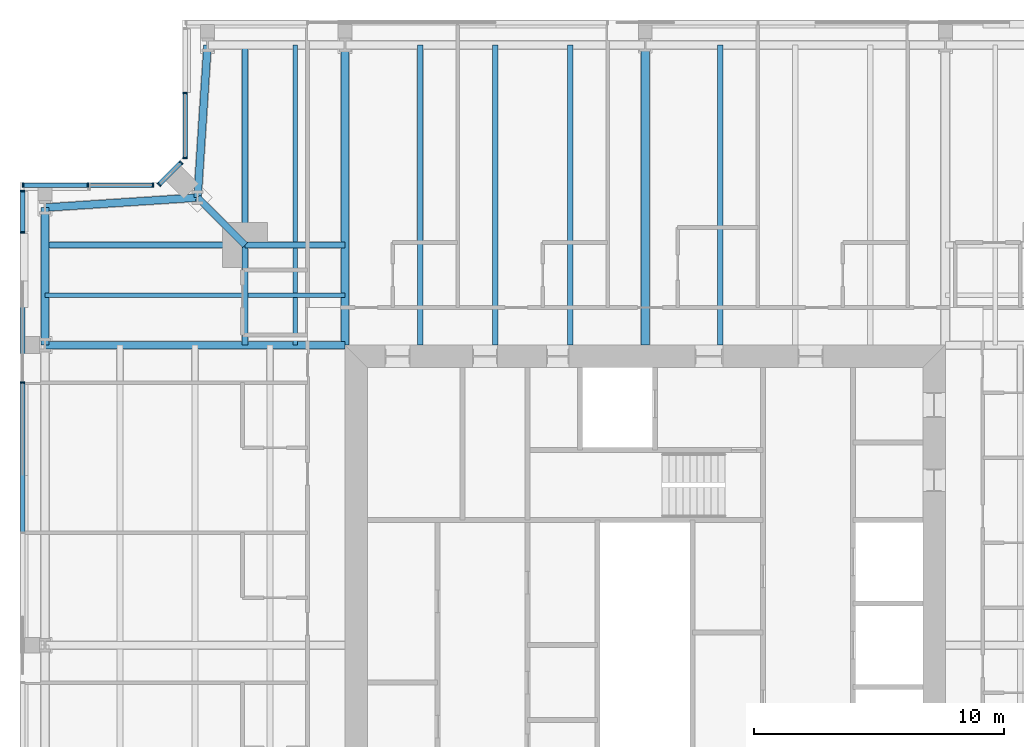
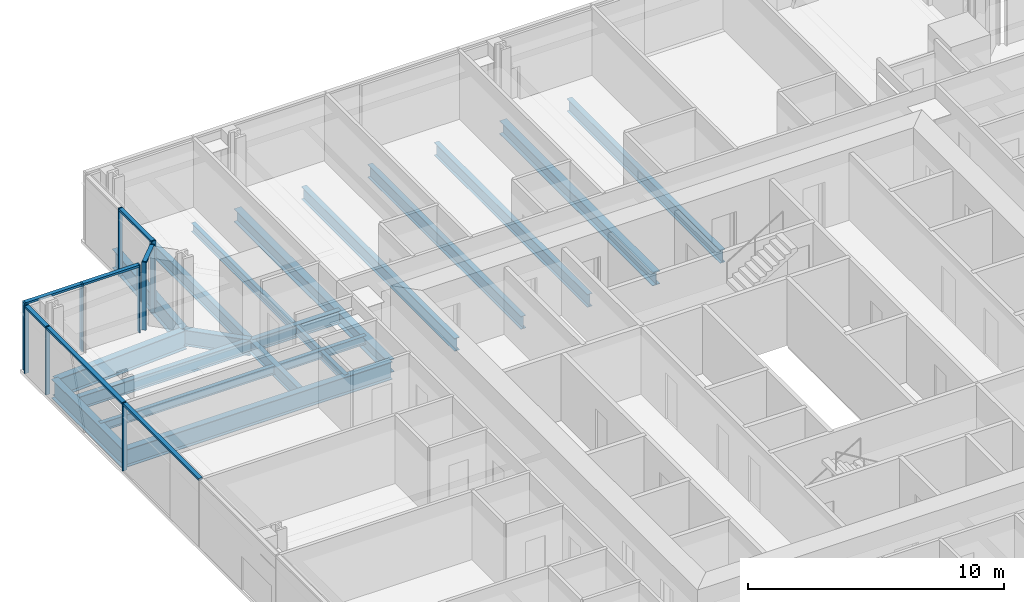
# One storey, part 7 of 20: 20 beams, 17 members, 4 elements without a shape of their own.
"""IFC4 building model written with IfcOpenShell, lengths in metres."""

from ifc_helpers import new_model, si_unit, direction, frame, origin, origin_2d, place, context, subcontext, project, spatial, rectangle, i_section, extrude, material, material_profile, profile_set, type_object, element, aggregate, save


model = new_model("IFC4")

# Units and contexts
model_context = context("Model", 3, precision=1e-05, world=origin(), true_north=direction((0.0, 1.0)))
body_context = subcontext(model_context, "Body", "Model", "MODEL_VIEW")
ifc_project = project(units=[si_unit("LENGTHUNIT", "METRE"), si_unit("AREAUNIT", "SQUARE_METRE"), si_unit("VOLUMEUNIT", "CUBIC_METRE"), si_unit("PLANEANGLEUNIT", "RADIAN"), si_unit("MASSUNIT", "GRAM", prefix="KILO")], contexts=[model_context])

# Site, building, storey
site_placement = place(None, origin())
site = spatial("IfcSite", under=ifc_project, at=site_placement, CompositionType="ELEMENT")
building_placement = place(site_placement, origin())
building = spatial("IfcBuilding", under=site, at=building_placement, Name="Fenwick Lantern Interchange", CompositionType="ELEMENT")
storey_placement = place(building_placement, frame((0.0, 0.0, 249.199951171875)))
storey = spatial("IfcBuildingStorey", under=building, at=storey_placement, Name="L58", CompositionType="ELEMENT", Elevation=249.199951171875)

# Beams
ifc_material_1 = material(Name="Steel ASTM A992 Grade 50", Category="steel")
ifc_material_profile_1 = material_profile(ifc_material_1, i_section(OverallWidth=0.3046875, OverallDepth=0.911865234375, WebThickness=0.015869140625, FlangeThickness=0.02392578125, at=origin_2d()), Name="W36X150")
ifc_profile_set_1 = profile_set([ifc_material_profile_1], Name="Steel ASTM A992 Grade 50")
beam_type_1 = type_object("IfcBeamType", Name="EDGE BEAM W36X150", PredefinedType="SPANDREL", material=ifc_profile_set_1)
for number, where, z_axis, x_axis, name in (
    (1, (7.5, 49.0, -0.60595703125), (-0.065416293237, -0.997858060337, 0.0), (0.997858060337, -0.065416293237, 0.0), "L58/FR/N/EBR1"),
    (2, (7.10009765625, 42.89990234375, -0.60595703125), (-0.997858060337, -0.065416293237, 0.0), (0.065416293237, -0.997858060337, 0.0), "L58/FR/N/EBR2"),
):
    element("IfcBeam", number, at=place(storey_placement, frame(where, z_axis=z_axis, x_axis=x_axis)), inside=storey, type_object=beam_type_1, Name=name, PredefinedType="SPANDREL", context=body_context, shape_type="SweptSolid", body=[
        extrude(i_section(OverallWidth=0.3046875, OverallDepth=0.911865234375, WebThickness=0.015869140625, FlangeThickness=0.02392578125, at=origin_2d()), origin(), (0.0, 0.0, 1.0), 6.11328125),
    ])
beam_1_placement = place(storey_placement, frame((1.0, 42.5, -0.60595703125), z_axis=(0.0, -1.0, 0.0), x_axis=(1.0, 0.0, 0.0)))
element("IfcBeam", 3, at=beam_1_placement, inside=storey, type_object=beam_type_1, Name="L58/FR/W/EB1", PredefinedType="SPANDREL", context=body_context, shape_type="SweptSolid", body=[
    extrude(i_section(OverallWidth=0.3046875, OverallDepth=0.911865234375, WebThickness=0.015869140625, FlangeThickness=0.02392578125, at=origin_2d()), origin(), (0.0, 0.0, 1.0), 5.5),
])
ifc_material_profile_2 = material_profile(ifc_material_1, i_section(OverallWidth=0.22900390625, OverallDepth=0.612060546875, WebThickness=0.011962890625, FlangeThickness=0.01953125, at=origin_2d()), Name="W24X84")
ifc_profile_set_2 = profile_set([ifc_material_profile_2], Name="Steel ASTM A992 Grade 50")
beam_type_2 = type_object("IfcBeamType", Name="FLOOR BEAM W24X84", PredefinedType="BEAM", material=ifc_profile_set_2)
for number, where, z_axis, x_axis, name in (
    (4, (28.0, 49.0, -0.4560546875), (0.0, -1.0, 0.0), (1.0, 0.0, 0.0), "L58/FR/N/R04"),
    (5, (22.0, 49.0, -0.4560546875), (0.0, -1.0, 0.0), (1.0, 0.0, 0.0), "L58/FR/N/R06"),
    (6, (19.0, 49.0, -0.4560546875), (0.0, -1.0, 0.0), (1.0, 0.0, 0.0), "L58/FR/N/R07"),
    (7, (16.0, 49.0, -0.4560546875), (0.0, -1.0, 0.0), (1.0, 0.0, 0.0), "L58/FR/N/R08"),
):
    element("IfcBeam", number, at=place(storey_placement, frame(where, z_axis=z_axis, x_axis=x_axis)), inside=storey, type_object=beam_type_2, Name=name, PredefinedType="BEAM", context=body_context, shape_type="SweptSolid", body=[
        extrude(i_section(OverallWidth=0.22900390625, OverallDepth=0.612060546875, WebThickness=0.011962890625, FlangeThickness=0.01953125, at=origin_2d()), origin(), (0.0, 0.0, 1.0), 12.0),
    ])

# Curtain wall, members
ifc_material_2 = material(Name="Aluminium curtain wall frame", Category="aluminium")
curtain_wall_type = type_object("IfcCurtainWallType", Name="HOTEL CURTAIN WALL", PredefinedType="USERDEFINED", material=ifc_material_2)
curtain_wall_1_placement = place(storey_placement, origin())
curtain_wall_1 = element("IfcCurtainWall", 8, at=curtain_wall_1_placement, inside=storey, type_object=curtain_wall_type, Name="Hotel curtain wall 10", ObjectType="HOTEL CURTAIN WALL", PredefinedType="USERDEFINED")
ifc_material_3 = material(Name="Aluminium extrusion", Category="aluminium")
ifc_material_profile_3 = material_profile(ifc_material_3, rectangle(XDim=0.179931640625, YDim=0.06005859375, at=origin_2d()), Name="HOTEL CURTAIN WALL MULLION 60 X 180")
ifc_profile_set_3 = profile_set([ifc_material_profile_3], Name="Aluminium extrusion")
member_type_1 = type_object("IfcMemberType", Name="HOTEL CURTAIN WALL MULLION 60 X 180", PredefinedType="MULLION", material=ifc_profile_set_3)
member_1_placement = place(storey_placement, frame((6.60009765625, 47.079345703125, 0.0), z_axis=(0.0, 0.0, 1.0), x_axis=(1.0, 0.0, 0.0)))
member_1 = element("IfcMember", 9, at=member_1_placement, type_object=member_type_1, Name="L58/CW/10/M01", PredefinedType="MULLION", context=body_context, shape_type="SweptSolid", body=[
    extrude(rectangle(XDim=0.179931640625, YDim=0.06005859375, at=origin_2d()), origin(), (0.0, 0.0, 1.0), 3.25),
])
member_2_placement = place(storey_placement, frame((6.60009765625, 44.488525390625, 0.0), z_axis=(0.0, 0.0, 1.0), x_axis=(1.0, 0.0, 0.0)))
member_2 = element("IfcMember", 10, at=member_2_placement, type_object=member_type_1, Name="L58/CW/10/M02", PredefinedType="MULLION", context=body_context, shape_type="SweptSolid", body=[
    extrude(rectangle(XDim=0.179931640625, YDim=0.06005859375, at=origin_2d()), origin(), (0.0, 0.0, 1.0), 3.25),
])

curtain_wall_2_placement = place(storey_placement, origin())
curtain_wall_2 = element("IfcCurtainWall", 11, at=curtain_wall_2_placement, inside=storey, type_object=curtain_wall_type, Name="Hotel curtain wall 11", ObjectType="HOTEL CURTAIN WALL", PredefinedType="USERDEFINED")
member_3_placement = place(storey_placement, frame((6.437255859375, 44.2958984375, 0.0), z_axis=(0.0, 0.0, 1.0), x_axis=(0.707106781187, -0.707106781187, 0.0)))
member_3 = element("IfcMember", 12, at=member_3_placement, type_object=member_type_1, Name="L58/CW/11/M00", PredefinedType="MULLION", context=body_context, shape_type="SweptSolid", body=[
    extrude(rectangle(XDim=0.179931640625, YDim=0.06005859375, at=origin_2d()), origin(), (0.0, 0.0, 1.0), 3.25),
])
member_4_placement = place(storey_placement, frame((5.562744140625, 43.421142578125, 0.0), z_axis=(0.0, 0.0, 1.0), x_axis=(0.707106781187, -0.707106781187, 0.0)))
member_4 = element("IfcMember", 13, at=member_4_placement, type_object=member_type_1, Name="L58/CW/11/M01", PredefinedType="MULLION", context=body_context, shape_type="SweptSolid", body=[
    extrude(rectangle(XDim=0.179931640625, YDim=0.06005859375, at=origin_2d()), origin(), (0.0, 0.0, 1.0), 3.25),
])

curtain_wall_3_placement = place(storey_placement, origin())
curtain_wall_3 = element("IfcCurtainWall", 14, at=curtain_wall_3_placement, inside=storey, type_object=curtain_wall_type, Name="Hotel curtain wall 12", ObjectType="HOTEL CURTAIN WALL", PredefinedType="USERDEFINED")
member_5_placement = place(storey_placement, frame((5.3115234375, 43.39990234375, 0.0), z_axis=(0.0, 0.0, 1.0), x_axis=(0.0, -1.0, 0.0)))
member_5 = element("IfcMember", 15, at=member_5_placement, type_object=member_type_1, Name="L58/CW/12/M00", PredefinedType="MULLION", context=body_context, shape_type="SweptSolid", body=[
    extrude(rectangle(XDim=0.179931640625, YDim=0.06005859375, at=origin_2d()), origin(), (0.0, 0.0, 1.0), 3.25),
])
member_6_placement = place(storey_placement, frame((2.720703125, 43.39990234375, 0.0), z_axis=(0.0, 0.0, 1.0), x_axis=(0.0, -1.0, 0.0)))
member_6 = element("IfcMember", 16, at=member_6_placement, type_object=member_type_1, Name="L58/CW/12/M01", PredefinedType="MULLION", context=body_context, shape_type="SweptSolid", body=[
    extrude(rectangle(XDim=0.179931640625, YDim=0.06005859375, at=origin_2d()), origin(), (0.0, 0.0, 1.0), 3.25),
])
member_7_placement = place(storey_placement, frame((0.1298828125, 43.39990234375, 0.0), z_axis=(0.0, 0.0, 1.0), x_axis=(0.0, -1.0, 0.0)))
member_7 = element("IfcMember", 17, at=member_7_placement, type_object=member_type_1, Name="L58/CW/12/M02", PredefinedType="MULLION", context=body_context, shape_type="SweptSolid", body=[
    extrude(rectangle(XDim=0.179931640625, YDim=0.06005859375, at=origin_2d()), origin(), (0.0, 0.0, 1.0), 3.25),
])

curtain_wall_4_placement = place(storey_placement, origin())
curtain_wall_4 = element("IfcCurtainWall", 18, at=curtain_wall_4_placement, inside=storey, type_object=curtain_wall_type, Name="Hotel curtain wall 13", ObjectType="HOTEL CURTAIN WALL", PredefinedType="USERDEFINED")
member_8_placement = place(storey_placement, frame((0.10009765625, 43.169921875, 0.0), z_axis=(0.0, 0.0, 1.0), x_axis=(1.0, 0.0, 0.0)))
member_8 = element("IfcMember", 19, at=member_8_placement, type_object=member_type_1, Name="L58/CW/13/M00", PredefinedType="MULLION", context=body_context, shape_type="SweptSolid", body=[
    extrude(rectangle(XDim=0.179931640625, YDim=0.06005859375, at=origin_2d()), origin(), (0.0, 0.0, 1.0), 3.25),
])
member_9_placement = place(storey_placement, frame((0.10009765625, 41.5, 0.0), z_axis=(0.0, 0.0, 1.0), x_axis=(1.0, 0.0, 0.0)))
member_9 = element("IfcMember", 20, at=member_9_placement, type_object=member_type_1, Name="L58/CW/13/M01", PredefinedType="MULLION", context=body_context, shape_type="SweptSolid", body=[
    extrude(rectangle(XDim=0.179931640625, YDim=0.06005859375, at=origin_2d()), origin(), (0.0, 0.0, 1.0), 3.25),
])
member_10_placement = place(storey_placement, frame((0.10009765625, 35.5, 0.0), z_axis=(0.0, 0.0, 1.0), x_axis=(1.0, 0.0, 0.0)))
member_10 = element("IfcMember", 21, at=member_10_placement, type_object=member_type_1, Name="L58/CW/13/M02", PredefinedType="MULLION", context=body_context, shape_type="SweptSolid", body=[
    extrude(rectangle(XDim=0.179931640625, YDim=0.06005859375, at=origin_2d()), origin(), (0.0, 0.0, 1.0), 3.25),
])

# Member
ifc_material_profile_4 = material_profile(ifc_material_3, rectangle(XDim=0.179931640625, YDim=0.10009765625, at=origin_2d()), Name="HOTEL CURTAIN WALL TRANSOM 100 X 180")
ifc_profile_set_4 = profile_set([ifc_material_profile_4], Name="Aluminium extrusion")
member_type_2 = type_object("IfcMemberType", Name="HOTEL CURTAIN WALL TRANSOM 100 X 180", PredefinedType="MULLION", material=ifc_profile_set_4)
member_11_placement = place(storey_placement, frame((6.60009765625, 47.04931640625, 3.199951171875), z_axis=(0.0, -1.0, 0.0), x_axis=(1.0, 0.0, 0.0)))
member_11 = element("IfcMember", 22, at=member_11_placement, type_object=member_type_2, Name="L58/CW/10/T01", PredefinedType="MULLION", context=body_context, shape_type="SweptSolid", body=[
    extrude(rectangle(XDim=0.179931640625, YDim=0.10009765625, at=origin_2d()), origin(), (0.0, 0.0, 1.0), 2.53076171875),
])

aggregate(curtain_wall_1, [member_1, member_2, member_11])

member_12_placement = place(storey_placement, frame((6.416259765625, 44.274658203125, 3.199951171875), z_axis=(-0.707210470133, -0.707003077033, 0.0), x_axis=(0.707003077033, -0.707210470133, 0.0)))
member_12 = element("IfcMember", 23, at=member_12_placement, type_object=member_type_2, Name="L58/CW/11/T00", PredefinedType="MULLION", context=body_context, shape_type="SweptSolid", body=[
    extrude(rectangle(XDim=0.179931640625, YDim=0.10009765625, at=origin_2d()), origin(), (0.0, 0.0, 1.0), 1.17724609375),
])

aggregate(curtain_wall_2, [member_3, member_4, member_12])

member_13_placement = place(storey_placement, frame((5.281494140625, 43.39990234375, 3.199951171875), z_axis=(-1.0, 0.0, 0.0), x_axis=(0.0, -1.0, 0.0)))
member_13 = element("IfcMember", 24, at=member_13_placement, type_object=member_type_2, Name="L58/CW/12/T00", PredefinedType="MULLION", context=body_context, shape_type="SweptSolid", body=[
    extrude(rectangle(XDim=0.179931640625, YDim=0.10009765625, at=origin_2d()), origin(), (0.0, 0.0, 1.0), 2.53076171875),
])

member_14_placement = place(storey_placement, frame((2.690673828125, 43.39990234375, 3.199951171875), z_axis=(-1.0, 0.0, 0.0), x_axis=(0.0, -1.0, 0.0)))
member_14 = element("IfcMember", 25, at=member_14_placement, type_object=member_type_2, Name="L58/CW/12/T01", PredefinedType="MULLION", context=body_context, shape_type="SweptSolid", body=[
    extrude(rectangle(XDim=0.179931640625, YDim=0.10009765625, at=origin_2d()), origin(), (0.0, 0.0, 1.0), 2.53076171875),
])

aggregate(curtain_wall_3, [member_5, member_6, member_7, member_13, member_14])

member_15_placement = place(storey_placement, frame((0.10009765625, 43.139892578125, 3.199951171875), z_axis=(0.0, -1.0, 0.0), x_axis=(1.0, 0.0, 0.0)))
member_15 = element("IfcMember", 26, at=member_15_placement, type_object=member_type_2, Name="L58/CW/13/T00", PredefinedType="MULLION", context=body_context, shape_type="SweptSolid", body=[
    extrude(rectangle(XDim=0.179931640625, YDim=0.10009765625, at=origin_2d()), origin(), (0.0, 0.0, 1.0), 1.60986328125),
])

member_16_placement = place(storey_placement, frame((0.10009765625, 41.469970703125, 3.199951171875), z_axis=(0.0, -1.0, 0.0), x_axis=(1.0, 0.0, 0.0)))
member_16 = element("IfcMember", 27, at=member_16_placement, type_object=member_type_2, Name="L58/CW/13/T01", PredefinedType="MULLION", context=body_context, shape_type="SweptSolid", body=[
    extrude(rectangle(XDim=0.179931640625, YDim=0.10009765625, at=origin_2d()), origin(), (0.0, 0.0, 1.0), 5.93994140625),
])

member_17_placement = place(storey_placement, frame((0.10009765625, 35.469970703125, 3.199951171875), z_axis=(0.0, -1.0, 0.0), x_axis=(1.0, 0.0, 0.0)))
member_17 = element("IfcMember", 28, at=member_17_placement, type_object=member_type_2, Name="L58/CW/13/T02", PredefinedType="MULLION", context=body_context, shape_type="SweptSolid", body=[
    extrude(rectangle(XDim=0.179931640625, YDim=0.10009765625, at=origin_2d()), origin(), (0.0, 0.0, 1.0), 5.93994140625),
])

aggregate(curtain_wall_4, [member_8, member_9, member_10, member_15, member_16, member_17])

# Beams
ifc_material_profile_5 = material_profile(ifc_material_1, i_section(OverallWidth=0.177734375, OverallDepth=0.406494140625, WebThickness=0.0078125, FlangeThickness=0.012939453125, at=origin_2d()), Name="W16X40")
ifc_profile_set_5 = profile_set([ifc_material_profile_5], Name="Steel ASTM A992 Grade 50")
beam_type_3 = type_object("IfcBeamType", Name="INFILL BEAM W16X40", PredefinedType="JOIST", material=ifc_profile_set_5)
beam_2_placement = place(storey_placement, frame((1.0, 39.0, -0.353271484375), z_axis=(1.0, 0.0, 0.0), x_axis=(0.0, 1.0, 0.0)))
element("IfcBeam", 29, at=beam_2_placement, inside=storey, type_object=beam_type_3, Name="L58/FR/W/J1", PredefinedType="JOIST", context=body_context, shape_type="SweptSolid", body=[
    extrude(i_section(OverallWidth=0.177734375, OverallDepth=0.406494140625, WebThickness=0.0078125, FlangeThickness=0.012939453125, at=origin_2d()), origin(), (0.0, 0.0, 1.0), 7.885498046875),
])
beam_3_placement = place(storey_placement, frame((9.114501953125, 39.0, -0.353271484375), z_axis=(1.0, 0.0, 0.0), x_axis=(0.0, 1.0, 0.0)))
element("IfcBeam", 30, at=beam_3_placement, inside=storey, type_object=beam_type_3, Name="L58/FR/W/J2", PredefinedType="JOIST", context=body_context, shape_type="SweptSolid", body=[
    extrude(i_section(OverallWidth=0.177734375, OverallDepth=0.406494140625, WebThickness=0.0078125, FlangeThickness=0.012939453125, at=origin_2d()), origin(), (0.0, 0.0, 1.0), 3.885498046875),
])
beam_4_placement = place(storey_placement, frame((11.0, 49.0, -0.353271484375), z_axis=(0.0, -1.0, 0.0), x_axis=(1.0, 0.0, 0.0)))
element("IfcBeam", 31, at=beam_4_placement, inside=storey, type_object=beam_type_3, Name="L58/FR/W/J3", PredefinedType="JOIST", context=body_context, shape_type="SweptSolid", body=[
    extrude(i_section(OverallWidth=0.177734375, OverallDepth=0.406494140625, WebThickness=0.0078125, FlangeThickness=0.012939453125, at=origin_2d()), origin(), (0.0, 0.0, 1.0), 7.885498046875),
])
beam_5_placement = place(storey_placement, frame((11.0, 40.885498046875, -0.353271484375), z_axis=(0.0, -1.0, 0.0), x_axis=(1.0, 0.0, 0.0)))
element("IfcBeam", 32, at=beam_5_placement, inside=storey, type_object=beam_type_3, Name="L58/FR/W/J4", PredefinedType="JOIST", context=body_context, shape_type="SweptSolid", body=[
    extrude(i_section(OverallWidth=0.177734375, OverallDepth=0.406494140625, WebThickness=0.0078125, FlangeThickness=0.012939453125, at=origin_2d()), origin(), (0.0, 0.0, 1.0), 1.796630859375),
])
beam_6_placement = place(storey_placement, frame((11.0, 38.9111328125, -0.353271484375), z_axis=(0.0, -1.0, 0.0), x_axis=(1.0, 0.0, 0.0)))
element("IfcBeam", 33, at=beam_6_placement, inside=storey, type_object=beam_type_3, Name="L58/FR/W/J5", PredefinedType="JOIST", context=body_context, shape_type="SweptSolid", body=[
    extrude(i_section(OverallWidth=0.177734375, OverallDepth=0.406494140625, WebThickness=0.0078125, FlangeThickness=0.012939453125, at=origin_2d()), origin(), (0.0, 0.0, 1.0), 1.9111328125),
])
ifc_material_profile_6 = material_profile(ifc_material_1, i_section(OverallWidth=0.22900390625, OverallDepth=0.612060546875, WebThickness=0.011962890625, FlangeThickness=0.01953125, at=origin_2d()), Name="W24X84")
ifc_profile_set_6 = profile_set([ifc_material_profile_6], Name="Steel ASTM A992 Grade 50")
beam_type_4 = type_object("IfcBeamType", Name="MEGA COLUMN BEAM W24X84", PredefinedType="BEAM", material=ifc_profile_set_6)
for number, where, z_axis, x_axis, name in (
    (34, (9.0, 41.0, -0.4560546875), (-1.0, 0.0, 0.0), (0.0, -1.0, 0.0), "L58/FR/W/MB1"),
    (35, (9.0, 41.0, -0.4560546875), (0.0, 1.0, 0.0), (-1.0, 0.0, 0.0), "L58/FR/W/MB2"),
):
    element("IfcBeam", number, at=place(storey_placement, frame(where, z_axis=z_axis, x_axis=x_axis)), inside=storey, type_object=beam_type_4, Name=name, PredefinedType="BEAM", context=body_context, shape_type="SweptSolid", body=[
        extrude(i_section(OverallWidth=0.22900390625, OverallDepth=0.612060546875, WebThickness=0.011962890625, FlangeThickness=0.01953125, at=origin_2d()), origin(), (0.0, 0.0, 1.0), 8.0),
    ])
for number, where, z_axis, x_axis, name in (
    (36, (9.0, 41.0, -0.4560546875), (0.0, -1.0, 0.0), (1.0, 0.0, 0.0), "L58/FR/W/MB3"),
    (37, (9.0, 41.0, -0.4560546875), (1.0, 0.0, 0.0), (0.0, 1.0, 0.0), "L58/FR/W/MB4"),
):
    element("IfcBeam", number, at=place(storey_placement, frame(where, z_axis=z_axis, x_axis=x_axis)), inside=storey, type_object=beam_type_4, Name=name, PredefinedType="BEAM", context=body_context, shape_type="SweptSolid", body=[
        extrude(i_section(OverallWidth=0.22900390625, OverallDepth=0.612060546875, WebThickness=0.011962890625, FlangeThickness=0.01953125, at=origin_2d()), origin(), (0.0, 0.0, 1.0), 4.0),
    ])
ifc_material_profile_7 = material_profile(ifc_material_1, i_section(OverallWidth=0.32763671875, OverallDepth=0.622314453125, WebThickness=0.015380859375, FlangeThickness=0.0244140625, at=origin_2d()), Name="W24X131")
ifc_profile_set_7 = profile_set([ifc_material_profile_7], Name="Steel ASTM A992 Grade 50")
beam_type_5 = type_object("IfcBeamType", Name="MOMENT-CONNECTED GIRDER W24X131", PredefinedType="BEAM", material=ifc_profile_set_7)
for number, where, z_axis, x_axis, name in (
    (38, (25.0, 49.0, -0.461181640625), (0.0, -1.0, 0.0), (1.0, 0.0, 0.0), "L58/FR/N/R05"),
    (39, (13.0, 49.0, -0.461181640625), (0.0, -1.0, 0.0), (1.0, 0.0, 0.0), "L58/FR/N/R09"),
):
    element("IfcBeam", number, at=place(storey_placement, frame(where, z_axis=z_axis, x_axis=x_axis)), inside=storey, type_object=beam_type_5, Name=name, PredefinedType="BEAM", context=body_context, shape_type="SweptSolid", body=[
        extrude(i_section(OverallWidth=0.32763671875, OverallDepth=0.622314453125, WebThickness=0.015380859375, FlangeThickness=0.0244140625, at=origin_2d()), origin(), (0.0, 0.0, 1.0), 12.0),
    ])
ifc_material_profile_8 = material_profile(ifc_material_1, i_section(OverallWidth=0.2919921875, OverallDepth=0.845703125, WebThickness=0.015380859375, FlangeThickness=0.0244140625, at=origin_2d()), Name="W33X141")
ifc_profile_set_8 = profile_set([ifc_material_profile_8], Name="Steel ASTM A992 Grade 50")
beam_type_6 = type_object("IfcBeamType", Name="MOMENT-CONNECTED GIRDER W33X141", PredefinedType="BEAM", material=ifc_profile_set_8)
beam_7_placement = place(storey_placement, frame((1.0, 37.0, -0.57275390625), z_axis=(1.0, 0.0, 0.0), x_axis=(0.0, 1.0, 0.0)))
element("IfcBeam", 40, at=beam_7_placement, inside=storey, type_object=beam_type_6, Name="L58/FR/W/R01", PredefinedType="BEAM", context=body_context, shape_type="SweptSolid", body=[
    extrude(i_section(OverallWidth=0.2919921875, OverallDepth=0.845703125, WebThickness=0.015380859375, FlangeThickness=0.0244140625, at=origin_2d()), origin(), (0.0, 0.0, 1.0), 12.0),
])
ifc_material_profile_9 = material_profile(ifc_material_1, i_section(OverallWidth=0.2666015625, OverallDepth=0.7568359375, WebThickness=0.013916015625, FlangeThickness=0.019287109375, at=origin_2d()), Name="W30X108")
ifc_profile_set_9 = profile_set([ifc_material_profile_9], Name="Steel ASTM A992 Grade 50")
beam_type_7 = type_object("IfcBeamType", Name="NOTCH BEAM W30X108", PredefinedType="BEAM", material=ifc_profile_set_9)
beam_8_placement = place(storey_placement, frame((9.0, 41.0, -0.5283203125), z_axis=(-0.707106781187, 0.707106781187, 0.0), x_axis=(-0.707106781187, -0.707106781187, 0.0)))
element("IfcBeam", 41, at=beam_8_placement, inside=storey, type_object=beam_type_7, Name="L58/FR/W/TG", PredefinedType="BEAM", context=body_context, shape_type="SweptSolid", body=[
    extrude(i_section(OverallWidth=0.2666015625, OverallDepth=0.7568359375, WebThickness=0.013916015625, FlangeThickness=0.019287109375, at=origin_2d()), origin(), (0.0, 0.0, 1.0), 2.686767578125),
])

save(model, "model.ifc")
